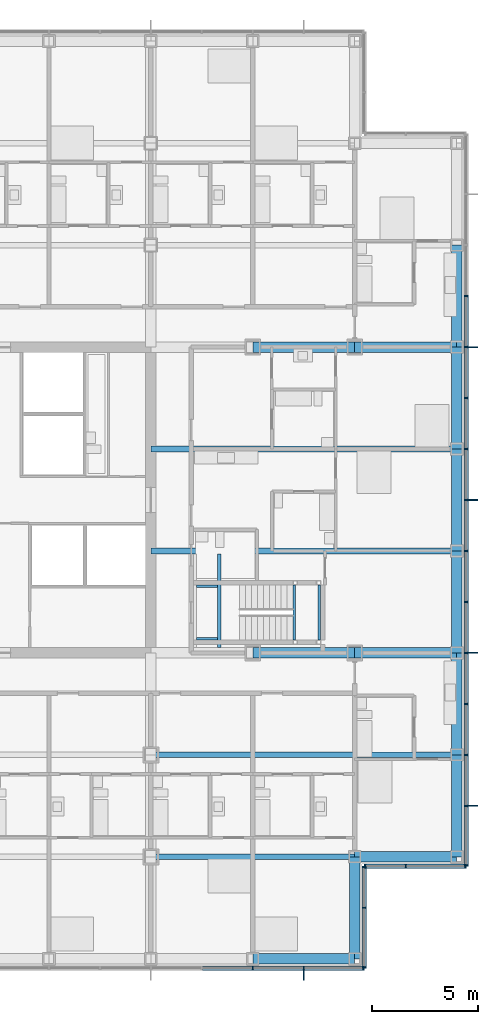
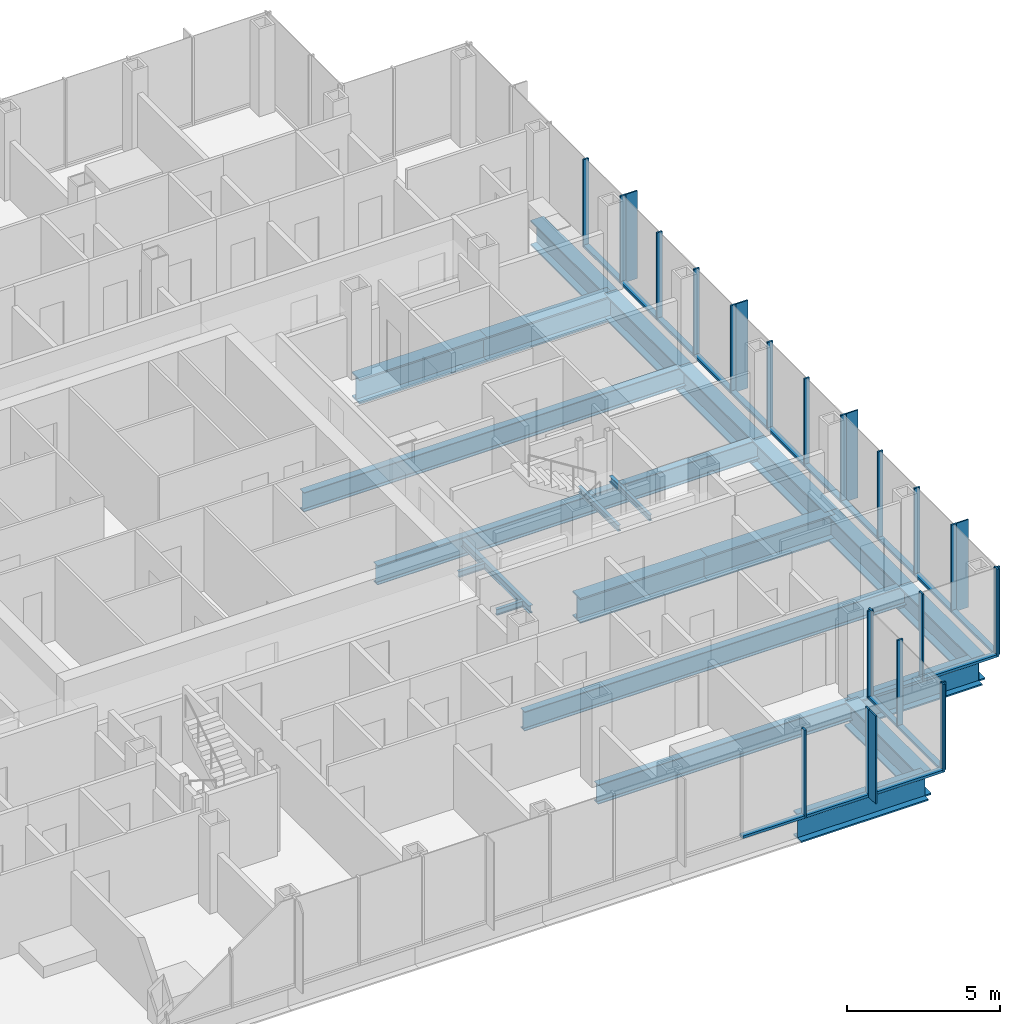
# One storey, part 9 of 22: 44 members, 22 beams, 4 elements without a shape of their own.
"""IFC4 building model written with IfcOpenShell, lengths in metres."""

from ifc_helpers import new_model, si_unit, direction, frame, origin, origin_2d, place, context, subcontext, project, spatial, rectangle, i_section, extrude, material, material_profile, profile_set, type_object, element, aggregate, save


model = new_model("IFC4")

# Units and contexts
model_context = context("Model", 3, precision=1e-05, world=origin(), true_north=direction((0.0, 1.0)))
body_context = subcontext(model_context, "Body", "Model", "MODEL_VIEW")
ifc_project = project(units=[si_unit("LENGTHUNIT", "METRE"), si_unit("AREAUNIT", "SQUARE_METRE"), si_unit("VOLUMEUNIT", "CUBIC_METRE"), si_unit("PLANEANGLEUNIT", "RADIAN"), si_unit("MASSUNIT", "GRAM", prefix="KILO")], contexts=[model_context])

# Site, building, storey
site_placement = place(None, origin())
site = spatial("IfcSite", under=ifc_project, at=site_placement, CompositionType="ELEMENT")
building_placement = place(site_placement, origin())
building = spatial("IfcBuilding", under=site, at=building_placement, Name="Kvirike Care Tower", CompositionType="ELEMENT")
storey_placement = place(building_placement, frame((0.0, 0.0, 69.0)))
storey = spatial("IfcBuildingStorey", under=building, at=storey_placement, Name="L18", CompositionType="ELEMENT", Elevation=69.0)

# Curtain wall, member
ifc_material_1 = material(Name="Anodised aluminium stick system", Category="aluminium")
curtain_wall_type = type_object("IfcCurtainWallType", Name="CW-A STICK CURTAIN WALL", PredefinedType="NOTDEFINED", material=ifc_material_1)
curtain_wall_1_placement = place(storey_placement, origin())
curtain_wall_1 = element("IfcCurtainWall", 1, at=curtain_wall_1_placement, inside=storey, type_object=curtain_wall_type, Name="Curtain wall L18 face 4", PredefinedType="NOTDEFINED")
ifc_material_2 = material(Name="Bronze anodised aluminium fin", Category="aluminium")
ifc_material_profile_1 = material_profile(ifc_material_2, rectangle(XDim=0.050048828125, YDim=0.449951171875, at=origin_2d()), Name="BRONZE FIN 450")
ifc_profile_set_1 = profile_set([ifc_material_profile_1], Name="Bronze anodised aluminium fin")
member_type_1 = type_object("IfcMemberType", Name="BRONZE FIN 450", PredefinedType="USERDEFINED", material=ifc_profile_set_1)
member_1_placement = place(storey_placement, frame((36.0, 13.625, 0.0), z_axis=(0.0, 0.0, 1.0), x_axis=(1.0, 0.0, 0.0)))
member_1 = element("IfcMember", 2, at=member_1_placement, type_object=member_type_1, Name="Bronze fin L18 face 4.14", ObjectType="FIN", PredefinedType="USERDEFINED", context=body_context, shape_type="SweptSolid", body=[
    extrude(rectangle(XDim=0.050048828125, YDim=0.449951171875, at=origin_2d()), origin(), (0.0, 0.0, 1.0), 3.5),
])

# Curtain wall, members
curtain_wall_2_placement = place(storey_placement, origin())
curtain_wall_2 = element("IfcCurtainWall", 3, at=curtain_wall_2_placement, inside=storey, type_object=curtain_wall_type, Name="Curtain wall L18 face 7", PredefinedType="NOTDEFINED")
member_2_placement = place(storey_placement, frame((43.97509765625, 21.60009765625, 0.0), z_axis=(0.0, 0.0, 1.0), x_axis=(0.0, 1.0, 0.0)))
member_2 = element("IfcMember", 4, at=member_2_placement, type_object=member_type_1, Name="Bronze fin L18 face 7.2", ObjectType="FIN", PredefinedType="USERDEFINED", context=body_context, shape_type="SweptSolid", body=[
    extrude(rectangle(XDim=0.050048828125, YDim=0.449951171875, at=origin_2d()), origin(), (0.0, 0.0, 1.0), 3.5),
])
member_3_placement = place(storey_placement, frame((43.97509765625, 28.800048828125, 0.0), z_axis=(0.0, 0.0, 1.0), x_axis=(0.0, 1.0, 0.0)))
member_3 = element("IfcMember", 5, at=member_3_placement, type_object=member_type_1, Name="Bronze fin L18 face 7.5", ObjectType="FIN", PredefinedType="USERDEFINED", context=body_context, shape_type="SweptSolid", body=[
    extrude(rectangle(XDim=0.050048828125, YDim=0.449951171875, at=origin_2d()), origin(), (0.0, 0.0, 1.0), 3.5),
])
member_4_placement = place(storey_placement, frame((43.97509765625, 36.0, 0.0), z_axis=(0.0, 0.0, 1.0), x_axis=(0.0, 1.0, 0.0)))
member_4 = element("IfcMember", 6, at=member_4_placement, type_object=member_type_1, Name="Bronze fin L18 face 7.8", ObjectType="FIN", PredefinedType="USERDEFINED", context=body_context, shape_type="SweptSolid", body=[
    extrude(rectangle(XDim=0.050048828125, YDim=0.449951171875, at=origin_2d()), origin(), (0.0, 0.0, 1.0), 3.5),
])
member_5_placement = place(storey_placement, frame((43.97509765625, 43.199951171875, 0.0), z_axis=(0.0, 0.0, 1.0), x_axis=(0.0, 1.0, 0.0)))
member_5 = element("IfcMember", 7, at=member_5_placement, type_object=member_type_1, Name="Bronze fin L18 face 7.11", ObjectType="FIN", PredefinedType="USERDEFINED", context=body_context, shape_type="SweptSolid", body=[
    extrude(rectangle(XDim=0.050048828125, YDim=0.449951171875, at=origin_2d()), origin(), (0.0, 0.0, 1.0), 3.5),
])

# Member
ifc_material_3 = material(Name="Bronze anodised aluminium mullion", Category="aluminium")
ifc_material_profile_2 = material_profile(ifc_material_3, rectangle(XDim=0.06494140625, YDim=0.199951171875, at=origin_2d()), Name="CW-A MULLION 65x200")
ifc_profile_set_2 = profile_set([ifc_material_profile_2], Name="Bronze anodised aluminium mullion")
member_type_2 = type_object("IfcMemberType", Name="CW-A MULLION 65x200", PredefinedType="MULLION", material=ifc_profile_set_2)
member_6_placement = place(storey_placement, frame((33.60009765625, 13.949951171875, 0.0), z_axis=(0.0, 0.0, 1.0), x_axis=(1.0, 0.0, 0.0)))
member_6 = element("IfcMember", 8, at=member_6_placement, type_object=member_type_2, Name="CW-A mullion L18 face 4.13", PredefinedType="MULLION", context=body_context, shape_type="SweptSolid", body=[
    extrude(rectangle(XDim=0.06494140625, YDim=0.199951171875, at=origin_2d()), origin(), (0.0, 0.0, 1.0), 3.5),
])

member_7_placement = place(storey_placement, frame((36.0, 13.949951171875, 0.0), z_axis=(0.0, 0.0, 1.0), x_axis=(1.0, 0.0, 0.0)))
member_7 = element("IfcMember", 9, at=member_7_placement, type_object=member_type_2, Name="CW-A mullion L18 face 4.14", PredefinedType="MULLION", context=body_context, shape_type="SweptSolid", body=[
    extrude(rectangle(XDim=0.06494140625, YDim=0.199951171875, at=origin_2d()), origin(), (0.0, 0.0, 1.0), 3.5),
])

member_8_placement = place(storey_placement, frame((38.8173828125, 13.949951171875, 0.0), z_axis=(0.0, 0.0, 1.0), x_axis=(1.0, 0.0, 0.0)))
member_8 = element("IfcMember", 10, at=member_8_placement, type_object=member_type_2, Name="CW-A mullion L18 face 4.15", PredefinedType="MULLION", context=body_context, shape_type="SweptSolid", body=[
    extrude(rectangle(XDim=0.06494140625, YDim=0.199951171875, at=origin_2d()), origin(), (0.0, 0.0, 1.0), 3.5),
])

# Curtain wall, members
curtain_wall_3_placement = place(storey_placement, origin())
curtain_wall_3 = element("IfcCurtainWall", 11, at=curtain_wall_3_placement, inside=storey, type_object=curtain_wall_type, Name="Curtain wall L18 face 5", PredefinedType="NOTDEFINED")
member_9_placement = place(storey_placement, frame((38.85009765625, 13.982421875, 0.0), z_axis=(0.0, 0.0, 1.0), x_axis=(0.0, 1.0, 0.0)))
member_9 = element("IfcMember", 12, at=member_9_placement, type_object=member_type_2, Name="CW-A mullion L18 face 5.1", PredefinedType="MULLION", context=body_context, shape_type="SweptSolid", body=[
    extrude(rectangle(XDim=0.06494140625, YDim=0.199951171875, at=origin_2d()), origin(), (0.0, 0.0, 1.0), 3.5),
])
member_10_placement = place(storey_placement, frame((38.85009765625, 16.800048828125, 0.0), z_axis=(0.0, 0.0, 1.0), x_axis=(0.0, 1.0, 0.0)))
member_10 = element("IfcMember", 13, at=member_10_placement, type_object=member_type_2, Name="CW-A mullion L18 face 5.2", PredefinedType="MULLION", context=body_context, shape_type="SweptSolid", body=[
    extrude(rectangle(XDim=0.06494140625, YDim=0.199951171875, at=origin_2d()), origin(), (0.0, 0.0, 1.0), 3.5),
])
member_11_placement = place(storey_placement, frame((38.85009765625, 18.717529296875, 0.0), z_axis=(0.0, 0.0, 1.0), x_axis=(0.0, 1.0, 0.0)))
member_11 = element("IfcMember", 14, at=member_11_placement, type_object=member_type_2, Name="CW-A mullion L18 face 5.3", PredefinedType="MULLION", context=body_context, shape_type="SweptSolid", body=[
    extrude(rectangle(XDim=0.06494140625, YDim=0.199951171875, at=origin_2d()), origin(), (0.0, 0.0, 1.0), 3.5),
])

curtain_wall_4_placement = place(storey_placement, origin())
curtain_wall_4 = element("IfcCurtainWall", 15, at=curtain_wall_4_placement, inside=storey, type_object=curtain_wall_type, Name="Curtain wall L18 face 6", PredefinedType="NOTDEFINED")
member_12_placement = place(storey_placement, frame((38.882568359375, 18.75, 0.0), z_axis=(0.0, 0.0, 1.0), x_axis=(1.0, 0.0, 0.0)))
member_12 = element("IfcMember", 16, at=member_12_placement, type_object=member_type_2, Name="CW-A mullion L18 face 6.1", PredefinedType="MULLION", context=body_context, shape_type="SweptSolid", body=[
    extrude(rectangle(XDim=0.06494140625, YDim=0.199951171875, at=origin_2d()), origin(), (0.0, 0.0, 1.0), 3.5),
])
member_13_placement = place(storey_placement, frame((40.800048828125, 18.75, 0.0), z_axis=(0.0, 0.0, 1.0), x_axis=(1.0, 0.0, 0.0)))
member_13 = element("IfcMember", 17, at=member_13_placement, type_object=member_type_2, Name="CW-A mullion L18 face 6.2", PredefinedType="MULLION", context=body_context, shape_type="SweptSolid", body=[
    extrude(rectangle(XDim=0.06494140625, YDim=0.199951171875, at=origin_2d()), origin(), (0.0, 0.0, 1.0), 3.5),
])
member_14_placement = place(storey_placement, frame((43.617431640625, 18.75, 0.0), z_axis=(0.0, 0.0, 1.0), x_axis=(1.0, 0.0, 0.0)))
member_14 = element("IfcMember", 18, at=member_14_placement, type_object=member_type_2, Name="CW-A mullion L18 face 6.3", PredefinedType="MULLION", context=body_context, shape_type="SweptSolid", body=[
    extrude(rectangle(XDim=0.06494140625, YDim=0.199951171875, at=origin_2d()), origin(), (0.0, 0.0, 1.0), 3.5),
])

# Member
member_15_placement = place(storey_placement, frame((43.64990234375, 18.782470703125, 0.0), z_axis=(0.0, 0.0, 1.0), x_axis=(0.0, 1.0, 0.0)))
member_15 = element("IfcMember", 19, at=member_15_placement, type_object=member_type_2, Name="CW-A mullion L18 face 7.1", PredefinedType="MULLION", context=body_context, shape_type="SweptSolid", body=[
    extrude(rectangle(XDim=0.06494140625, YDim=0.199951171875, at=origin_2d()), origin(), (0.0, 0.0, 1.0), 3.5),
])

member_16_placement = place(storey_placement, frame((43.64990234375, 21.60009765625, 0.0), z_axis=(0.0, 0.0, 1.0), x_axis=(0.0, 1.0, 0.0)))
member_16 = element("IfcMember", 20, at=member_16_placement, type_object=member_type_2, Name="CW-A mullion L18 face 7.2", PredefinedType="MULLION", context=body_context, shape_type="SweptSolid", body=[
    extrude(rectangle(XDim=0.06494140625, YDim=0.199951171875, at=origin_2d()), origin(), (0.0, 0.0, 1.0), 3.5),
])

member_17_placement = place(storey_placement, frame((43.64990234375, 24.0, 0.0), z_axis=(0.0, 0.0, 1.0), x_axis=(0.0, 1.0, 0.0)))
member_17 = element("IfcMember", 21, at=member_17_placement, type_object=member_type_2, Name="CW-A mullion L18 face 7.3", PredefinedType="MULLION", context=body_context, shape_type="SweptSolid", body=[
    extrude(rectangle(XDim=0.06494140625, YDim=0.199951171875, at=origin_2d()), origin(), (0.0, 0.0, 1.0), 3.5),
])

member_18_placement = place(storey_placement, frame((43.64990234375, 26.39990234375, 0.0), z_axis=(0.0, 0.0, 1.0), x_axis=(0.0, 1.0, 0.0)))
member_18 = element("IfcMember", 22, at=member_18_placement, type_object=member_type_2, Name="CW-A mullion L18 face 7.4", PredefinedType="MULLION", context=body_context, shape_type="SweptSolid", body=[
    extrude(rectangle(XDim=0.06494140625, YDim=0.199951171875, at=origin_2d()), origin(), (0.0, 0.0, 1.0), 3.5),
])

member_19_placement = place(storey_placement, frame((43.64990234375, 28.800048828125, 0.0), z_axis=(0.0, 0.0, 1.0), x_axis=(0.0, 1.0, 0.0)))
member_19 = element("IfcMember", 23, at=member_19_placement, type_object=member_type_2, Name="CW-A mullion L18 face 7.5", PredefinedType="MULLION", context=body_context, shape_type="SweptSolid", body=[
    extrude(rectangle(XDim=0.06494140625, YDim=0.199951171875, at=origin_2d()), origin(), (0.0, 0.0, 1.0), 3.5),
])

member_20_placement = place(storey_placement, frame((43.64990234375, 31.199951171875, 0.0), z_axis=(0.0, 0.0, 1.0), x_axis=(0.0, 1.0, 0.0)))
member_20 = element("IfcMember", 24, at=member_20_placement, type_object=member_type_2, Name="CW-A mullion L18 face 7.6", PredefinedType="MULLION", context=body_context, shape_type="SweptSolid", body=[
    extrude(rectangle(XDim=0.06494140625, YDim=0.199951171875, at=origin_2d()), origin(), (0.0, 0.0, 1.0), 3.5),
])

member_21_placement = place(storey_placement, frame((43.64990234375, 33.60009765625, 0.0), z_axis=(0.0, 0.0, 1.0), x_axis=(0.0, 1.0, 0.0)))
member_21 = element("IfcMember", 25, at=member_21_placement, type_object=member_type_2, Name="CW-A mullion L18 face 7.7", PredefinedType="MULLION", context=body_context, shape_type="SweptSolid", body=[
    extrude(rectangle(XDim=0.06494140625, YDim=0.199951171875, at=origin_2d()), origin(), (0.0, 0.0, 1.0), 3.5),
])

member_22_placement = place(storey_placement, frame((43.64990234375, 36.0, 0.0), z_axis=(0.0, 0.0, 1.0), x_axis=(0.0, 1.0, 0.0)))
member_22 = element("IfcMember", 26, at=member_22_placement, type_object=member_type_2, Name="CW-A mullion L18 face 7.8", PredefinedType="MULLION", context=body_context, shape_type="SweptSolid", body=[
    extrude(rectangle(XDim=0.06494140625, YDim=0.199951171875, at=origin_2d()), origin(), (0.0, 0.0, 1.0), 3.5),
])

member_23_placement = place(storey_placement, frame((43.64990234375, 38.39990234375, 0.0), z_axis=(0.0, 0.0, 1.0), x_axis=(0.0, 1.0, 0.0)))
member_23 = element("IfcMember", 27, at=member_23_placement, type_object=member_type_2, Name="CW-A mullion L18 face 7.9", PredefinedType="MULLION", context=body_context, shape_type="SweptSolid", body=[
    extrude(rectangle(XDim=0.06494140625, YDim=0.199951171875, at=origin_2d()), origin(), (0.0, 0.0, 1.0), 3.5),
])

member_24_placement = place(storey_placement, frame((43.64990234375, 40.800048828125, 0.0), z_axis=(0.0, 0.0, 1.0), x_axis=(0.0, 1.0, 0.0)))
member_24 = element("IfcMember", 28, at=member_24_placement, type_object=member_type_2, Name="CW-A mullion L18 face 7.10", PredefinedType="MULLION", context=body_context, shape_type="SweptSolid", body=[
    extrude(rectangle(XDim=0.06494140625, YDim=0.199951171875, at=origin_2d()), origin(), (0.0, 0.0, 1.0), 3.5),
])

member_25_placement = place(storey_placement, frame((43.64990234375, 43.199951171875, 0.0), z_axis=(0.0, 0.0, 1.0), x_axis=(0.0, 1.0, 0.0)))
member_25 = element("IfcMember", 29, at=member_25_placement, type_object=member_type_2, Name="CW-A mullion L18 face 7.11", PredefinedType="MULLION", context=body_context, shape_type="SweptSolid", body=[
    extrude(rectangle(XDim=0.06494140625, YDim=0.199951171875, at=origin_2d()), origin(), (0.0, 0.0, 1.0), 3.5),
])

member_26_placement = place(storey_placement, frame((43.64990234375, 45.60009765625, 0.0), z_axis=(0.0, 0.0, 1.0), x_axis=(0.0, 1.0, 0.0)))
member_26 = element("IfcMember", 30, at=member_26_placement, type_object=member_type_2, Name="CW-A mullion L18 face 7.12", PredefinedType="MULLION", context=body_context, shape_type="SweptSolid", body=[
    extrude(rectangle(XDim=0.06494140625, YDim=0.199951171875, at=origin_2d()), origin(), (0.0, 0.0, 1.0), 3.5),
])

ifc_material_4 = material(Name="Bronze anodised aluminium transom", Category="aluminium")
ifc_material_profile_3 = material_profile(ifc_material_4, rectangle(XDim=0.199951171875, YDim=0.10009765625, at=origin_2d()), Name="CW-A TRANSOM 200x100")
ifc_profile_set_3 = profile_set([ifc_material_profile_3], Name="Bronze anodised aluminium transom")
member_type_3 = type_object("IfcMemberType", Name="CW-A TRANSOM 200x100", PredefinedType="USERDEFINED", material=ifc_profile_set_3)
member_27_placement = place(storey_placement, frame((31.232421875, 13.949951171875, 0.050048828125), z_axis=(1.0, 0.0, 0.0), x_axis=(0.0, 1.0, 0.0)))
member_27 = element("IfcMember", 31, at=member_27_placement, type_object=member_type_3, Name="CW-A sill transom L18 face 4.12", ObjectType="TRANSOM", PredefinedType="USERDEFINED", context=body_context, shape_type="SweptSolid", body=[
    extrude(rectangle(XDim=0.199951171875, YDim=0.10009765625, at=origin_2d()), origin(), (0.0, 0.0, 1.0), 2.3349609375),
])

member_28_placement = place(storey_placement, frame((33.632568359375, 13.949951171875, 0.050048828125), z_axis=(1.0, 0.0, 0.0), x_axis=(0.0, 1.0, 0.0)))
member_28 = element("IfcMember", 32, at=member_28_placement, type_object=member_type_3, Name="CW-A sill transom L18 face 4.13", ObjectType="TRANSOM", PredefinedType="USERDEFINED", context=body_context, shape_type="SweptSolid", body=[
    extrude(rectangle(XDim=0.199951171875, YDim=0.10009765625, at=origin_2d()), origin(), (0.0, 0.0, 1.0), 2.3349609375),
])

member_29_placement = place(storey_placement, frame((36.032470703125, 13.949951171875, 0.050048828125), z_axis=(1.0, 0.0, 0.0), x_axis=(0.0, 1.0, 0.0)))
member_29 = element("IfcMember", 33, at=member_29_placement, type_object=member_type_3, Name="CW-A sill transom L18 face 4.14", ObjectType="TRANSOM", PredefinedType="USERDEFINED", context=body_context, shape_type="SweptSolid", body=[
    extrude(rectangle(XDim=0.199951171875, YDim=0.10009765625, at=origin_2d()), origin(), (0.0, 0.0, 1.0), 2.75244140625),
])

aggregate(curtain_wall_1, [member_6, member_7, member_1, member_8, member_27, member_28, member_29])

member_30_placement = place(storey_placement, frame((38.85009765625, 14.014892578125, 0.050048828125), z_axis=(0.0, 1.0, 0.0), x_axis=(-1.0, 0.0, 0.0)))
member_30 = element("IfcMember", 34, at=member_30_placement, type_object=member_type_3, Name="CW-A sill transom L18 face 5.1", ObjectType="TRANSOM", PredefinedType="USERDEFINED", context=body_context, shape_type="SweptSolid", body=[
    extrude(rectangle(XDim=0.199951171875, YDim=0.10009765625, at=origin_2d()), origin(), (0.0, 0.0, 1.0), 2.752685546875),
])

member_31_placement = place(storey_placement, frame((38.85009765625, 16.83251953125, 0.050048828125), z_axis=(0.0, 1.0, 0.0), x_axis=(-1.0, 0.0, 0.0)))
member_31 = element("IfcMember", 35, at=member_31_placement, type_object=member_type_3, Name="CW-A sill transom L18 face 5.2", ObjectType="TRANSOM", PredefinedType="USERDEFINED", context=body_context, shape_type="SweptSolid", body=[
    extrude(rectangle(XDim=0.199951171875, YDim=0.10009765625, at=origin_2d()), origin(), (0.0, 0.0, 1.0), 1.8525390625),
])

aggregate(curtain_wall_3, [member_9, member_10, member_11, member_30, member_31])

member_32_placement = place(storey_placement, frame((38.9150390625, 18.75, 0.050048828125), z_axis=(1.0, 0.0, 0.0), x_axis=(0.0, 1.0, 0.0)))
member_32 = element("IfcMember", 36, at=member_32_placement, type_object=member_type_3, Name="CW-A sill transom L18 face 6.1", ObjectType="TRANSOM", PredefinedType="USERDEFINED", context=body_context, shape_type="SweptSolid", body=[
    extrude(rectangle(XDim=0.199951171875, YDim=0.10009765625, at=origin_2d()), origin(), (0.0, 0.0, 1.0), 1.8525390625),
])

member_33_placement = place(storey_placement, frame((40.83251953125, 18.75, 0.050048828125), z_axis=(1.0, 0.0, 0.0), x_axis=(0.0, 1.0, 0.0)))
member_33 = element("IfcMember", 37, at=member_33_placement, type_object=member_type_3, Name="CW-A sill transom L18 face 6.2", ObjectType="TRANSOM", PredefinedType="USERDEFINED", context=body_context, shape_type="SweptSolid", body=[
    extrude(rectangle(XDim=0.199951171875, YDim=0.10009765625, at=origin_2d()), origin(), (0.0, 0.0, 1.0), 2.75244140625),
])

aggregate(curtain_wall_4, [member_12, member_13, member_14, member_32, member_33])

member_34_placement = place(storey_placement, frame((43.64990234375, 18.81494140625, 0.050048828125), z_axis=(0.0, 1.0, 0.0), x_axis=(-1.0, 0.0, 0.0)))
member_34 = element("IfcMember", 38, at=member_34_placement, type_object=member_type_3, Name="CW-A sill transom L18 face 7.1", ObjectType="TRANSOM", PredefinedType="USERDEFINED", context=body_context, shape_type="SweptSolid", body=[
    extrude(rectangle(XDim=0.199951171875, YDim=0.10009765625, at=origin_2d()), origin(), (0.0, 0.0, 1.0), 2.75244140625),
])

member_35_placement = place(storey_placement, frame((43.64990234375, 21.632568359375, 0.050048828125), z_axis=(0.0, 1.0, 0.0), x_axis=(-1.0, 0.0, 0.0)))
member_35 = element("IfcMember", 39, at=member_35_placement, type_object=member_type_3, Name="CW-A sill transom L18 face 7.2", ObjectType="TRANSOM", PredefinedType="USERDEFINED", context=body_context, shape_type="SweptSolid", body=[
    extrude(rectangle(XDim=0.199951171875, YDim=0.10009765625, at=origin_2d()), origin(), (0.0, 0.0, 1.0), 2.3349609375),
])

member_36_placement = place(storey_placement, frame((43.64990234375, 24.032470703125, 0.050048828125), z_axis=(0.0, 1.0, 0.0), x_axis=(-1.0, 0.0, 0.0)))
member_36 = element("IfcMember", 40, at=member_36_placement, type_object=member_type_3, Name="CW-A sill transom L18 face 7.3", ObjectType="TRANSOM", PredefinedType="USERDEFINED", context=body_context, shape_type="SweptSolid", body=[
    extrude(rectangle(XDim=0.199951171875, YDim=0.10009765625, at=origin_2d()), origin(), (0.0, 0.0, 1.0), 2.3349609375),
])

member_37_placement = place(storey_placement, frame((43.64990234375, 26.4326171875, 0.050048828125), z_axis=(0.0, 1.0, 0.0), x_axis=(-1.0, 0.0, 0.0)))
member_37 = element("IfcMember", 41, at=member_37_placement, type_object=member_type_3, Name="CW-A sill transom L18 face 7.4", ObjectType="TRANSOM", PredefinedType="USERDEFINED", context=body_context, shape_type="SweptSolid", body=[
    extrude(rectangle(XDim=0.199951171875, YDim=0.10009765625, at=origin_2d()), origin(), (0.0, 0.0, 1.0), 2.3349609375),
])

member_38_placement = place(storey_placement, frame((43.64990234375, 28.83251953125, 0.050048828125), z_axis=(0.0, 1.0, 0.0), x_axis=(-1.0, 0.0, 0.0)))
member_38 = element("IfcMember", 42, at=member_38_placement, type_object=member_type_3, Name="CW-A sill transom L18 face 7.5", ObjectType="TRANSOM", PredefinedType="USERDEFINED", context=body_context, shape_type="SweptSolid", body=[
    extrude(rectangle(XDim=0.199951171875, YDim=0.10009765625, at=origin_2d()), origin(), (0.0, 0.0, 1.0), 2.3349609375),
])

member_39_placement = place(storey_placement, frame((43.64990234375, 31.232421875, 0.050048828125), z_axis=(0.0, 1.0, 0.0), x_axis=(-1.0, 0.0, 0.0)))
member_39 = element("IfcMember", 43, at=member_39_placement, type_object=member_type_3, Name="CW-A sill transom L18 face 7.6", ObjectType="TRANSOM", PredefinedType="USERDEFINED", context=body_context, shape_type="SweptSolid", body=[
    extrude(rectangle(XDim=0.199951171875, YDim=0.10009765625, at=origin_2d()), origin(), (0.0, 0.0, 1.0), 2.3349609375),
])

member_40_placement = place(storey_placement, frame((43.64990234375, 33.632568359375, 0.050048828125), z_axis=(0.0, 1.0, 0.0), x_axis=(-1.0, 0.0, 0.0)))
member_40 = element("IfcMember", 44, at=member_40_placement, type_object=member_type_3, Name="CW-A sill transom L18 face 7.7", ObjectType="TRANSOM", PredefinedType="USERDEFINED", context=body_context, shape_type="SweptSolid", body=[
    extrude(rectangle(XDim=0.199951171875, YDim=0.10009765625, at=origin_2d()), origin(), (0.0, 0.0, 1.0), 2.3349609375),
])

member_41_placement = place(storey_placement, frame((43.64990234375, 36.032470703125, 0.050048828125), z_axis=(0.0, 1.0, 0.0), x_axis=(-1.0, 0.0, 0.0)))
member_41 = element("IfcMember", 45, at=member_41_placement, type_object=member_type_3, Name="CW-A sill transom L18 face 7.8", ObjectType="TRANSOM", PredefinedType="USERDEFINED", context=body_context, shape_type="SweptSolid", body=[
    extrude(rectangle(XDim=0.199951171875, YDim=0.10009765625, at=origin_2d()), origin(), (0.0, 0.0, 1.0), 2.3349609375),
])

member_42_placement = place(storey_placement, frame((43.64990234375, 38.4326171875, 0.050048828125), z_axis=(0.0, 1.0, 0.0), x_axis=(-1.0, 0.0, 0.0)))
member_42 = element("IfcMember", 46, at=member_42_placement, type_object=member_type_3, Name="CW-A sill transom L18 face 7.9", ObjectType="TRANSOM", PredefinedType="USERDEFINED", context=body_context, shape_type="SweptSolid", body=[
    extrude(rectangle(XDim=0.199951171875, YDim=0.10009765625, at=origin_2d()), origin(), (0.0, 0.0, 1.0), 2.3349609375),
])

member_43_placement = place(storey_placement, frame((43.64990234375, 40.83251953125, 0.050048828125), z_axis=(0.0, 1.0, 0.0), x_axis=(-1.0, 0.0, 0.0)))
member_43 = element("IfcMember", 47, at=member_43_placement, type_object=member_type_3, Name="CW-A sill transom L18 face 7.10", ObjectType="TRANSOM", PredefinedType="USERDEFINED", context=body_context, shape_type="SweptSolid", body=[
    extrude(rectangle(XDim=0.199951171875, YDim=0.10009765625, at=origin_2d()), origin(), (0.0, 0.0, 1.0), 2.3349609375),
])

member_44_placement = place(storey_placement, frame((43.64990234375, 43.232421875, 0.050048828125), z_axis=(0.0, 1.0, 0.0), x_axis=(-1.0, 0.0, 0.0)))
member_44 = element("IfcMember", 48, at=member_44_placement, type_object=member_type_3, Name="CW-A sill transom L18 face 7.11", ObjectType="TRANSOM", PredefinedType="USERDEFINED", context=body_context, shape_type="SweptSolid", body=[
    extrude(rectangle(XDim=0.199951171875, YDim=0.10009765625, at=origin_2d()), origin(), (0.0, 0.0, 1.0), 2.3349609375),
])

aggregate(curtain_wall_2, [member_15, member_16, member_2, member_17, member_18, member_19, member_3, member_20, member_21, member_22, member_4, member_23, member_24, member_25, member_5, member_26, member_34, member_35, member_36, member_37, member_38, member_39, member_40, member_41, member_42, member_43, member_44])

# Beams
ifc_material_5 = material(Name="Steel S355", Category="steel")
ifc_material_profile_4 = material_profile(ifc_material_5, i_section(OverallWidth=0.26806640625, OverallDepth=0.77001953125, WebThickness=0.015625, FlangeThickness=0.025390625, FilletRadius=0.01708984375, at=origin_2d()), Name="IPE 750x196")
ifc_profile_set_4 = profile_set([ifc_material_profile_4], Name="Steel S355")
beam_type_1 = type_object("IfcBeamType", Name="FLOOR BEAM IPE 750x196", PredefinedType="BEAM", material=ifc_profile_set_4)
beam_1_placement = place(storey_placement, frame((28.800048828125, 19.199951171875, -0.554931640625), z_axis=(1.0, 0.0, 0.0), x_axis=(0.0, 1.0, 0.0)))
element("IfcBeam", 49, at=beam_1_placement, inside=storey, type_object=beam_type_1, Name="Floor Beam E9-E11 L18", PredefinedType="BEAM", context=body_context, shape_type="SweptSolid", body=[
    extrude(i_section(OverallWidth=0.26806640625, OverallDepth=0.77001953125, WebThickness=0.015625, FlangeThickness=0.025390625, FilletRadius=0.01708984375, at=origin_2d()), origin(), (0.0, 0.0, 1.0), 9.599853515625),
])
for number, where, z_axis, x_axis, name in (
    (50, (28.800048828125, 24.0, -0.554931640625), (1.0, 0.0, 0.0), (0.0, 1.0, 0.0), "Floor Beam F9-F12 L18"),
    (51, (28.800048828125, 33.60009765625, -0.554931640625), (1.0, 0.0, 0.0), (0.0, 1.0, 0.0), "Floor Beam H9-H12 L18"),
    (52, (28.800048828125, 38.39990234375, -0.554931640625), (1.0, 0.0, 0.0), (0.0, 1.0, 0.0), "Floor Beam J9-J12 L18"),
):
    element("IfcBeam", number, at=place(storey_placement, frame(where, z_axis=z_axis, x_axis=x_axis)), inside=storey, type_object=beam_type_1, Name=name, PredefinedType="BEAM", context=body_context, shape_type="SweptSolid", body=[
        extrude(i_section(OverallWidth=0.26806640625, OverallDepth=0.77001953125, WebThickness=0.015625, FlangeThickness=0.025390625, FilletRadius=0.01708984375, at=origin_2d()), origin(), (0.0, 0.0, 1.0), 14.39990234375),
    ])
ifc_material_6 = material(Name="Steel S355", Category="steel")
ifc_material_profile_5 = material_profile(ifc_material_6, i_section(OverallWidth=0.5, OverallDepth=1.0, WebThickness=0.030029296875, FlangeThickness=0.06005859375, at=origin_2d()), Name="PG 1000x500x30x60")
ifc_profile_set_5 = profile_set([ifc_material_profile_5], Name="Steel S355")
beam_type_2 = type_object("IfcBeamType", Name="FRAME BEAM PG 1000x500x30x60", PredefinedType="BEAM", material=ifc_profile_set_5)
beam_2_placement = place(storey_placement, frame((33.60009765625, 28.800048828125, -0.669921875), z_axis=(1.0, 0.0, 0.0), x_axis=(0.0, 1.0, 0.0)))
element("IfcBeam", 53, at=beam_2_placement, inside=storey, type_object=beam_type_2, Name="Frame Beam G10-G11 L18", PredefinedType="BEAM", context=body_context, shape_type="SweptSolid", body=[
    extrude(i_section(OverallWidth=0.5, OverallDepth=1.0, WebThickness=0.030029296875, FlangeThickness=0.06005859375, at=origin_2d()), origin(), (0.0, 0.0, 1.0), 4.7998046875),
])
beam_3_placement = place(storey_placement, frame((38.39990234375, 28.800048828125, -0.669921875), z_axis=(1.0, 0.0, 0.0), x_axis=(0.0, 1.0, 0.0)))
element("IfcBeam", 54, at=beam_3_placement, inside=storey, type_object=beam_type_2, Name="Frame Beam G11-G12 L18", PredefinedType="BEAM", context=body_context, shape_type="SweptSolid", body=[
    extrude(i_section(OverallWidth=0.5, OverallDepth=1.0, WebThickness=0.030029296875, FlangeThickness=0.06005859375, at=origin_2d()), origin(), (0.0, 0.0, 1.0), 4.800048828125),
])
beam_4_placement = place(storey_placement, frame((33.60009765625, 43.199951171875, -0.669921875), z_axis=(1.0, 0.0, 0.0), x_axis=(0.0, 1.0, 0.0)))
element("IfcBeam", 55, at=beam_4_placement, inside=storey, type_object=beam_type_2, Name="Frame Beam K10-K11 L18", PredefinedType="BEAM", context=body_context, shape_type="SweptSolid", body=[
    extrude(i_section(OverallWidth=0.5, OverallDepth=1.0, WebThickness=0.030029296875, FlangeThickness=0.06005859375, at=origin_2d()), origin(), (0.0, 0.0, 1.0), 4.7998046875),
])
beam_5_placement = place(storey_placement, frame((38.39990234375, 43.199951171875, -0.669921875), z_axis=(1.0, 0.0, 0.0), x_axis=(0.0, 1.0, 0.0)))
element("IfcBeam", 56, at=beam_5_placement, inside=storey, type_object=beam_type_2, Name="Frame Beam K11-K12 L18", PredefinedType="BEAM", context=body_context, shape_type="SweptSolid", body=[
    extrude(i_section(OverallWidth=0.5, OverallDepth=1.0, WebThickness=0.030029296875, FlangeThickness=0.06005859375, at=origin_2d()), origin(), (0.0, 0.0, 1.0), 4.800048828125),
])
ifc_material_7 = material(Name="Steel S355", Category="steel")
ifc_material_profile_6 = material_profile(ifc_material_7, i_section(OverallWidth=0.5, OverallDepth=1.0, WebThickness=0.030029296875, FlangeThickness=0.06005859375, at=origin_2d()), Name="PG 1000x500x30x60")
ifc_profile_set_6 = profile_set([ifc_material_profile_6], Name="Steel S355")
beam_type_3 = type_object("IfcBeamType", Name="SPANDREL PG 1000x500x30x60", PredefinedType="SPANDREL", material=ifc_profile_set_6)
beam_6_placement = place(storey_placement, frame((33.60009765625, 14.39990234375, -0.669921875), z_axis=(1.0, 0.0, 0.0), x_axis=(0.0, 1.0, 0.0)))
element("IfcBeam", 57, at=beam_6_placement, inside=storey, type_object=beam_type_3, Name="Spandrel D10-D11 L18", PredefinedType="SPANDREL", context=body_context, shape_type="SweptSolid", body=[
    extrude(i_section(OverallWidth=0.5, OverallDepth=1.0, WebThickness=0.030029296875, FlangeThickness=0.06005859375, at=origin_2d()), origin(), (0.0, 0.0, 1.0), 4.7998046875),
])
for number, where, z_axis, x_axis, name in (
    (58, (38.39990234375, 19.199951171875, -0.669921875), (1.0, 0.0, 0.0), (0.0, 1.0, 0.0), "Spandrel E11-E12 L18"),
    (59, (38.39990234375, 14.39990234375, -0.669921875), (0.0, 1.0, 0.0), (-1.0, 0.0, 0.0), "Spandrel D11-E11 L18"),
    (60, (43.199951171875, 19.199951171875, -0.669921875), (0.0, 1.0, 0.0), (-1.0, 0.0, 0.0), "Spandrel E12-F12 L18"),
    (61, (43.199951171875, 24.0, -0.669921875), (0.0, 1.0, 0.0), (-1.0, 0.0, 0.0), "Spandrel F12-G12 L18"),
    (62, (43.199951171875, 28.800048828125, -0.669921875), (0.0, 1.0, 0.0), (-1.0, 0.0, 0.0), "Spandrel G12-H12 L18"),
):
    element("IfcBeam", number, at=place(storey_placement, frame(where, z_axis=z_axis, x_axis=x_axis)), inside=storey, type_object=beam_type_3, Name=name, PredefinedType="SPANDREL", context=body_context, shape_type="SweptSolid", body=[
        extrude(i_section(OverallWidth=0.5, OverallDepth=1.0, WebThickness=0.030029296875, FlangeThickness=0.06005859375, at=origin_2d()), origin(), (0.0, 0.0, 1.0), 4.800048828125),
    ])
beam_7_placement = place(storey_placement, frame((43.199951171875, 33.60009765625, -0.669921875), z_axis=(0.0, 1.0, 0.0), x_axis=(-1.0, 0.0, 0.0)))
element("IfcBeam", 63, at=beam_7_placement, inside=storey, type_object=beam_type_3, Name="Spandrel H12-J12 L18", PredefinedType="SPANDREL", context=body_context, shape_type="SweptSolid", body=[
    extrude(i_section(OverallWidth=0.5, OverallDepth=1.0, WebThickness=0.030029296875, FlangeThickness=0.06005859375, at=origin_2d()), origin(), (0.0, 0.0, 1.0), 4.7998046875),
])
for number, where, z_axis, x_axis, name in (
    (64, (43.199951171875, 38.39990234375, -0.669921875), (0.0, 1.0, 0.0), (-1.0, 0.0, 0.0), "Spandrel J12-K12 L18"),
    (65, (43.199951171875, 43.199951171875, -0.669921875), (0.0, 1.0, 0.0), (-1.0, 0.0, 0.0), "Spandrel K12-L12 L18"),
):
    element("IfcBeam", number, at=place(storey_placement, frame(where, z_axis=z_axis, x_axis=x_axis)), inside=storey, type_object=beam_type_3, Name=name, PredefinedType="SPANDREL", context=body_context, shape_type="SweptSolid", body=[
        extrude(i_section(OverallWidth=0.5, OverallDepth=1.0, WebThickness=0.030029296875, FlangeThickness=0.06005859375, at=origin_2d()), origin(), (0.0, 0.0, 1.0), 4.800048828125),
    ])
ifc_material_8 = material(Name="Steel S355", Category="steel")
ifc_material_profile_7 = material_profile(ifc_material_8, i_section(OverallWidth=0.1201171875, OverallDepth=0.239990234375, WebThickness=0.006103515625, FlangeThickness=0.009765625, FilletRadius=0.014892578125, at=origin_2d()), Name="IPE 240")
ifc_profile_set_7 = profile_set([ifc_material_profile_7], Name="Steel S355")
beam_type_4 = type_object("IfcBeamType", Name="STAIR LANDING BEAM IPE 240", PredefinedType="BEAM", material=ifc_profile_set_7)
for number, where, z_axis, x_axis, name in (
    (66, (36.739990234375, 29.39990234375, 1.429931640625), (0.0, 1.0, 0.0), (-1.0, 0.0, 0.0), "Stair 2 landing beam back L18"),
    (67, (35.56005859375, 29.39990234375, 1.429931640625), (0.0, 1.0, 0.0), (-1.0, 0.0, 0.0), "Stair 2 landing beam front L18"),
):
    element("IfcBeam", number, at=place(storey_placement, frame(where, z_axis=z_axis, x_axis=x_axis)), inside=storey, type_object=beam_type_4, Name=name, PredefinedType="BEAM", context=body_context, shape_type="SweptSolid", body=[
        extrude(i_section(OverallWidth=0.1201171875, OverallDepth=0.239990234375, WebThickness=0.006103515625, FlangeThickness=0.009765625, FilletRadius=0.014892578125, at=origin_2d()), origin(), (0.0, 0.0, 1.0), 2.60009765625),
    ])
for number, where, z_axis, x_axis, name in (
    (68, (31.949951171875, 29.4599609375, -0.320068359375), (-1.0, 0.0, 0.0), (0.0, -1.0, 0.0), "Stair 2 landing edge beam 1 L18"),
    (69, (31.949951171875, 31.93994140625, -0.320068359375), (-1.0, 0.0, 0.0), (0.0, -1.0, 0.0), "Stair 2 landing edge beam 2 L18"),
):
    element("IfcBeam", number, at=place(storey_placement, frame(where, z_axis=z_axis, x_axis=x_axis)), inside=storey, type_object=beam_type_4, Name=name, PredefinedType="BEAM", context=body_context, shape_type="SweptSolid", body=[
        extrude(i_section(OverallWidth=0.1201171875, OverallDepth=0.239990234375, WebThickness=0.006103515625, FlangeThickness=0.009765625, FilletRadius=0.014892578125, at=origin_2d()), origin(), (0.0, 0.0, 1.0), 1.0),
    ])
ifc_material_9 = material(Name="Steel S355", Category="steel")
ifc_material_profile_8 = material_profile(ifc_material_9, i_section(OverallWidth=0.14990234375, OverallDepth=0.300048828125, WebThickness=0.007080078125, FlangeThickness=0.0107421875, FilletRadius=0.014892578125, at=origin_2d()), Name="IPE 300")
ifc_profile_set_8 = profile_set([ifc_material_profile_8], Name="Steel S355")
beam_type_5 = type_object("IfcBeamType", Name="STAIR TRIMMER IPE 300", PredefinedType="BEAM", material=ifc_profile_set_8)
beam_8_placement = place(storey_placement, frame((32.02490234375, 29.050048828125, -0.35009765625), z_axis=(0.0, 1.0, 0.0), x_axis=(-1.0, 0.0, 0.0)))
element("IfcBeam", 70, at=beam_8_placement, inside=storey, type_object=beam_type_5, Name="Stair 2 trimmer 1 L18", PredefinedType="BEAM", context=body_context, shape_type="SweptSolid", body=[
    extrude(i_section(OverallWidth=0.14990234375, OverallDepth=0.300048828125, WebThickness=0.007080078125, FlangeThickness=0.0107421875, FilletRadius=0.014892578125, at=origin_2d()), origin(), (0.0, 0.0, 1.0), 4.416015625),
])

save(model, "model.ifc")
